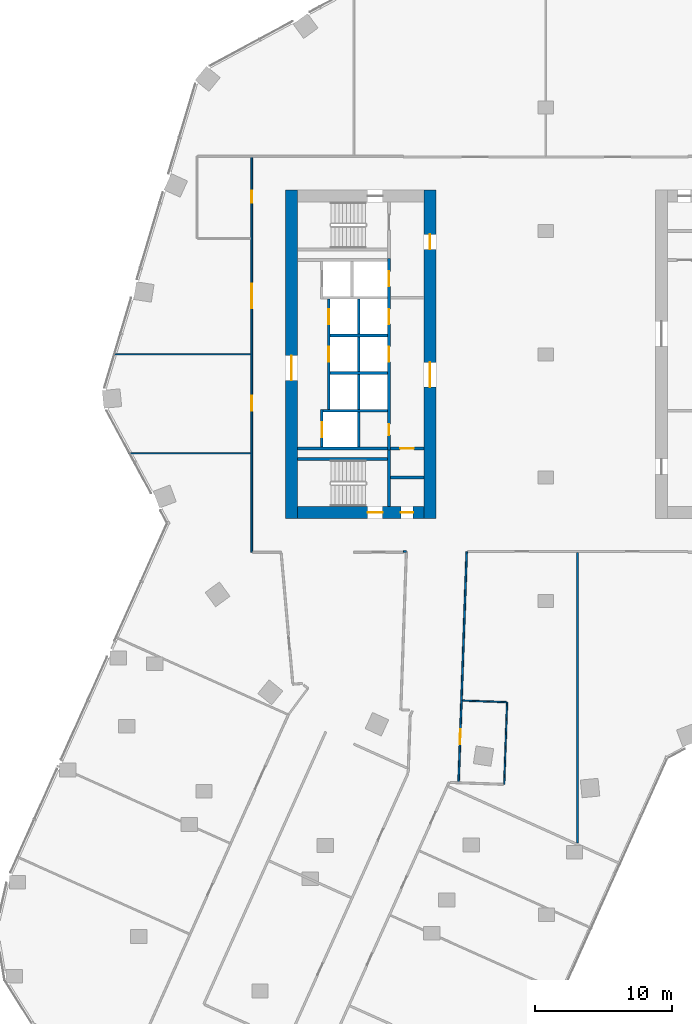
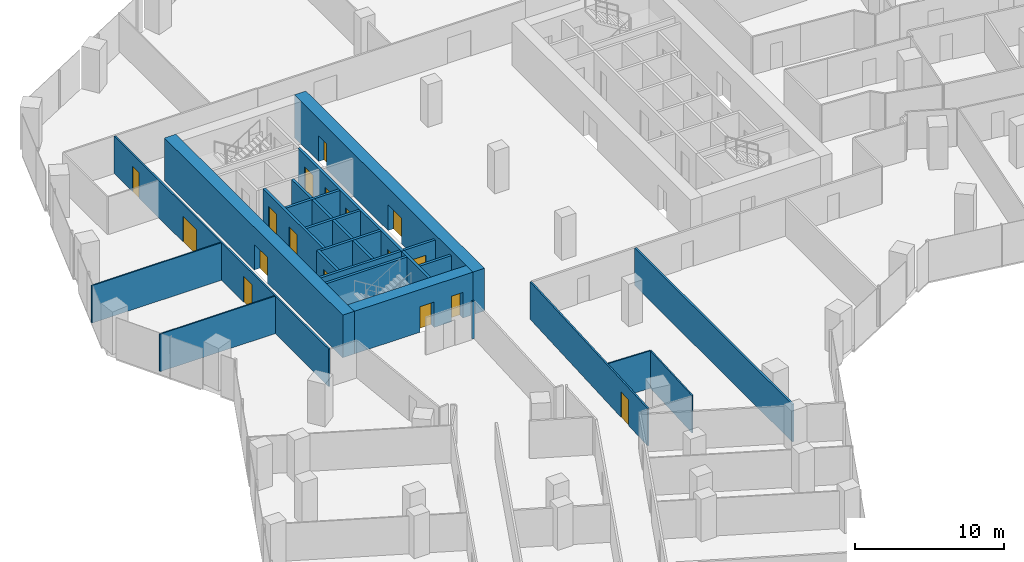
# One storey, part 26 of 34: 26 walls, 17 doors, 17 openings.
"""IFC4 building model written with IfcOpenShell, lengths in metres."""

import ifcopenshell
import ifcopenshell.guid

model = None  # the IFC model being written
_history = None  # IfcOwnerHistory: only IFC2X3 demands one
_inside = {}  # id of a spatial element -> (the spatial element, [elements in it])
_under = {}  # id of a project, library or spatial element -> (it, [spatial elements below it])
_declared = {}  # id of a project -> (the project, [libraries it declares])
_typed = {}  # id of a type object -> (the type object, [elements of that type])
_made_of = {}  # id of a material, layer set ... -> (it, [elements and type objects made of it])


def new_model(schema):
    """Start an empty IFC model of exactly this schema.

    Asked for "IFC4X3", IfcOpenShell would pick the latest addendum, in which some entities
    have other attributes; the version numbers below select the first issue.
    IFC2X3 requires an IfcOwnerHistory on every rooted entity: one is made here for all.
    """
    global model, _history
    if schema == "IFC4X3":
        model = ifcopenshell.file(schema_version=(4, 3, 0, 0))
    else:
        model = ifcopenshell.file(schema=schema)
    _inside.clear()
    _under.clear()
    _declared.clear()
    _typed.clear()
    _made_of.clear()
    _history = None
    if model.schema == "IFC2X3":
        org = make("IfcOrganization", Name="unknown")
        user = make(
            "IfcPersonAndOrganization",
            ThePerson=make("IfcPerson", FamilyName="unknown"),
            TheOrganization=org,
        )
        app = make(
            "IfcApplication",
            ApplicationDeveloper=org,
            Version="unknown",
            ApplicationFullName="unknown",
            ApplicationIdentifier="unknown",
        )
        _history = make(
            "IfcOwnerHistory",
            OwningUser=user,
            OwningApplication=app,
            ChangeAction="ADDED",
            CreationDate=0,
        )
    return model


def make(cls, **values):
    """One entity of the class cls with the attributes given. An attribute that is None is left unset."""
    return model.create_entity(
        cls, **{name: value for name, value in values.items() if value is not None}
    )


def rooted(cls, **values):
    """An entity with a GlobalId (a new one), such as an element, a storey or a relation."""
    return make(cls, GlobalId=ifcopenshell.guid.new(), OwnerHistory=_history, **values)


def si_unit(unit_type, name, prefix=None):
    """IfcSIUnit, for example si_unit("LENGTHUNIT", "METRE", prefix="MILLI")."""
    return make("IfcSIUnit", UnitType=unit_type, Prefix=prefix, Name=name)


def assignment(units):
    """IfcUnitAssignment: the units of a project."""
    return None if units is None else make("IfcUnitAssignment", Units=units)


def point(xyz):
    """IfcCartesianPoint."""
    return None if xyz is None else make("IfcCartesianPoint", Coordinates=xyz)


def direction(xyz):
    """IfcDirection."""
    return None if xyz is None else make("IfcDirection", DirectionRatios=xyz)


def frame(location, z_axis=None, x_axis=None):
    """IfcAxis2Placement3D, a coordinate frame: its origin and axes. An axis left out is left unset."""
    return make(
        "IfcAxis2Placement3D",
        Location=point(location),
        Axis=direction(z_axis),
        RefDirection=direction(x_axis),
    )


def frame_2d(location, x_axis=None):
    """IfcAxis2Placement2D, a coordinate frame in the plane: its origin and x axis."""
    return make(
        "IfcAxis2Placement2D", Location=point(location), RefDirection=direction(x_axis)
    )


def origin():
    """The frame at (0, 0, 0) with its axes left unset."""
    return frame((0.0, 0.0, 0.0))


def place(relative_to, where):
    """IfcLocalPlacement: puts the frame where relative to a parent placement (None: the world)."""
    return make(
        "IfcLocalPlacement", PlacementRelTo=relative_to, RelativePlacement=where
    )


def context(
    kind, dimensions, precision=None, world=None, true_north=None, identifier=None
):
    """IfcGeometricRepresentationContext, for example the 3D "Model" context."""
    return make(
        "IfcGeometricRepresentationContext",
        ContextIdentifier=identifier,
        ContextType=kind,
        CoordinateSpaceDimension=dimensions,
        Precision=precision,
        WorldCoordinateSystem=world,
        TrueNorth=true_north,
    )


def subcontext(parent, identifier, kind, view, scale=None):
    """IfcGeometricRepresentationSubContext, for example "Body" below "Model"."""
    return make(
        "IfcGeometricRepresentationSubContext",
        ContextIdentifier=identifier,
        ContextType=kind,
        ParentContext=parent,
        TargetScale=scale,
        TargetView=view,
    )


def project(units=None, contexts=None):
    """IfcProject with its units and contexts."""
    return rooted(
        "IfcProject",
        Name="project",
        RepresentationContexts=contexts,
        UnitsInContext=assignment(units),
    )


def spatial(cls, under=None, at=None, **own):
    """A site, building, storey or space (cls), placed at a placement, below another one or the project."""
    s = rooted(cls, ObjectPlacement=at, **own)
    if under is not None:
        _under.setdefault(under.id(), (under, []))[1].append(s)
    return s


def profile(cls, at=None, kind="AREA", **sizes):
    """A parametric profile (cls). Its sizes go by their IFC names, for example OverallWidth=200.0."""
    return make(cls, ProfileType=kind, Position=at, **sizes)


def rectangle(**sizes):
    """IfcRectangleProfileDef."""
    return profile("IfcRectangleProfileDef", **sizes)


def extrude(swept, where, along, depth):
    """IfcExtrudedAreaSolid: the profile swept, set in the frame where, extruded along a direction by depth."""
    return make(
        "IfcExtrudedAreaSolid",
        SweptArea=swept,
        Position=where,
        ExtrudedDirection=direction(along),
        Depth=depth,
    )


def shape(context_of_items, identifier, shape_type, items):
    """IfcShapeRepresentation: the items that make up one representation, for example the "Body"."""
    return make(
        "IfcShapeRepresentation",
        ContextOfItems=context_of_items,
        RepresentationIdentifier=identifier,
        RepresentationType=shape_type,
        Items=items,
    )


def material(Name=None, Category=None):
    """IfcMaterial."""
    return make("IfcMaterial", Name=Name, Category=Category)


def layer(
    of_material, thickness, ventilated=None, Name=None, Category=None, Priority=None
):
    """IfcMaterialLayer: one layer of a wall or slab, of a material (None: an air gap)."""
    return make(
        "IfcMaterialLayer",
        Material=of_material,
        LayerThickness=thickness,
        IsVentilated=ventilated,
        Name=Name,
        Category=Category,
        Priority=Priority,
    )


def layer_set(layers, Name=None):
    """IfcMaterialLayerSet."""
    return make("IfcMaterialLayerSet", MaterialLayers=layers, LayerSetName=Name)


def made_of(thing, what):
    """Note that an element or type object is made of a material, layer set ...; save() writes the relation."""
    if what is not None:
        _made_of.setdefault(what.id(), (what, []))[1].append(thing)
    return thing


def type_object(cls, material=None, **own):
    """A type object (cls), such as IfcWallType, which elements share."""
    return made_of(rooted(cls, **own), material)


def element(
    cls,
    number,
    at=None,
    inside=None,
    cuts=None,
    type_object=None,
    material=None,
    context=None,
    identifier="Body",
    shape_type=None,
    held_by="IfcProductDefinitionShape",
    body=None,
    shapes=None,
    **own,
):
    """One element of the class cls, such as IfcWall. Its Tag is "e" and its number.

    at: its placement. inside: the storey or other place that contains it. cuts: it is an
    opening in that element (IfcRelVoidsElement). A single representation is given by context,
    identifier, shape_type and body (its items); several are given by shapes. held_by: the class
    of the entity that holds the representations. save() writes the other relations.
    """
    e = rooted(cls, Tag="e%d" % number, ObjectPlacement=at, **own)
    if body is not None:
        shapes = [shape(context, identifier, shape_type, body)]
    if shapes is not None:
        e.Representation = make(held_by, Representations=shapes)
    if inside is not None:
        _inside.setdefault(inside.id(), (inside, []))[1].append(e)
    if cuts is not None:
        rooted(
            "IfcRelVoidsElement", RelatingBuildingElement=cuts, RelatedOpeningElement=e
        )
    if type_object is not None:
        _typed.setdefault(type_object.id(), (type_object, []))[1].append(e)
    return made_of(e, material)


def fill(opening, filler):
    """IfcRelFillsElement: the door or window that sits in an opening."""
    return rooted(
        "IfcRelFillsElement",
        RelatingOpeningElement=opening,
        RelatedBuildingElement=filler,
    )


def aggregate(whole, parts):
    """IfcRelAggregates: a whole, such as a stair, and the parts it consists of."""
    return rooted("IfcRelAggregates", RelatingObject=whole, RelatedObjects=parts)


def save(model, path):
    """Write the relations noted so far, then the file.

    IfcRelAggregates (storeys below a building ...), IfcRelContainedInSpatialStructure (elements
    in a storey), IfcRelDefinesByType, IfcRelAssociatesMaterial and IfcRelDeclares: one each for
    every whole, place, type object, material and project.
    """
    for whole, parts in _under.values():
        aggregate(whole, parts)
    for where, things in _inside.values():
        rooted(
            "IfcRelContainedInSpatialStructure",
            RelatedElements=things,
            RelatingStructure=where,
        )
    for kind, things in _typed.values():
        rooted("IfcRelDefinesByType", RelatedObjects=things, RelatingType=kind)
    for what, things in _made_of.values():
        rooted("IfcRelAssociatesMaterial", RelatedObjects=things, RelatingMaterial=what)
    for by, libraries in _declared.values():
        rooted("IfcRelDeclares", RelatingContext=by, RelatedDefinitions=libraries)
    model.write(path)


model = new_model("IFC4")

# Units and contexts
model_context = context("Model", 3, precision=1e-05, world=origin(), true_north=direction((0.0, 1.0)))
body_context = subcontext(model_context, "Body", "Model", "MODEL_VIEW")
ifc_project = project(units=[si_unit("LENGTHUNIT", "METRE"), si_unit("AREAUNIT", "SQUARE_METRE"), si_unit("VOLUMEUNIT", "CUBIC_METRE"), si_unit("PLANEANGLEUNIT", "RADIAN"), si_unit("MASSUNIT", "GRAM", prefix="KILO")], contexts=[model_context])

# Site, building, storey
site_placement = place(None, origin())
site = spatial("IfcSite", under=ifc_project, at=site_placement, CompositionType="ELEMENT")
building_placement = place(site_placement, origin())
building = spatial("IfcBuilding", under=site, at=building_placement, Name="Orlundy Tower", CompositionType="ELEMENT")
storey_placement = place(building_placement, frame((0.0, 0.0, 130.699951171875)))
storey = spatial("IfcBuildingStorey", under=building, at=storey_placement, Name="L33", CompositionType="ELEMENT", Elevation=130.699951171875)

# Wall, openings, doors
ifc_material_1 = material(Name="Concrete C80/95", Category="concrete")
ifc_layer_1 = layer(ifc_material_1, 0.89990234375)
ifc_layer_set_1 = layer_set([ifc_layer_1], Name="CORE WALL 900 C80/95")
wall_type_1 = type_object("IfcWallType", Name="CORE WALL 900 C80/95", PredefinedType="SHEAR", material=ifc_layer_set_1)
wall_1_placement = place(storey_placement, frame((-18.10009765625, -11.550048828125, 0.0), z_axis=(0.0, 0.0, 1.0), x_axis=(1.0, 0.0, 0.0)))
wall_1 = element("IfcWall", 1, at=wall_1_placement, inside=storey, type_object=wall_type_1, Name="Core wall W-S L33", PredefinedType="SHEAR", context=body_context, shape_type="SweptSolid", body=[
    extrude(rectangle(XDim=9.2001953125, YDim=0.89990234375, at=frame_2d((4.60009765625, 0.0))), origin(), (0.0, 0.0, 1.0), 3.5),
])
opening_1_placement = place(wall_1_placement, frame((5.10009765625, 0.0, 0.0)))
opening_1 = element("IfcOpeningElement", 2, at=opening_1_placement, cuts=wall_1, Name="Opening 25013", PredefinedType="OPENING", context=body_context, shape_type="SweptSolid", body=[
    extrude(rectangle(XDim=1.10009765625, YDim=2.10009765625, at=frame_2d((0.550048828125, 1.050048828125))), frame((0.0, 0.4599609375, 0.0), z_axis=(0.0, -1.0, 0.0), x_axis=(1.0, 0.0, 0.0)), (0.0, 0.0, 1.0), 0.919921875),
])
opening_2_placement = place(wall_1_placement, frame((7.530029296875, 0.0, 0.0)))
opening_2 = element("IfcOpeningElement", 3, at=opening_2_placement, cuts=wall_1, Name="Opening 25015", PredefinedType="OPENING", context=body_context, shape_type="SweptSolid", body=[
    extrude(rectangle(XDim=0.89990234375, YDim=2.10009765625, at=frame_2d((0.449951171875, 1.050048828125))), frame((0.0, 0.4599609375, 0.0), z_axis=(0.0, -1.0, 0.0), x_axis=(1.0, 0.0, 0.0)), (0.0, 0.0, 1.0), 0.919921875),
])
ifc_material_2 = material(Name="Timber door set", Category="wood")
door_type_1 = type_object("IfcDoorType", Name="Room Door 900x2100", OperationType="SINGLE_SWING_LEFT", PredefinedType="DOOR", material=ifc_material_2)
door_1_placement = place(opening_2_placement, origin())
door_1 = element("IfcDoor", 4, at=door_1_placement, inside=storey, type_object=door_type_1, Name="Store door 25015", OperationType="SINGLE_SWING_RIGHT", OverallHeight=2.10009765625, OverallWidth=0.89990234375, PredefinedType="DOOR", context=body_context, shape_type="SweptSolid", body=[
    extrude(rectangle(XDim=0.89990234375, YDim=2.10009765625, at=frame_2d((0.449951171875, 1.050048828125))), frame((0.0, 0.02490234375, 0.0), z_axis=(0.0, -1.0, 0.0), x_axis=(1.0, 0.0, 0.0)), (0.0, 0.0, 1.0), 0.050048828125),
])
fill(opening_2, door_1)
ifc_material_3 = material(Name="Steel door set", Category="steel")
door_type_2 = type_object("IfcDoorType", Name="Stair Door 1100x2100", OperationType="SINGLE_SWING_LEFT", PredefinedType="DOOR", material=ifc_material_3)
door_2_placement = place(opening_1_placement, origin())
door_2 = element("IfcDoor", 5, at=door_2_placement, inside=storey, type_object=door_type_2, Name="Stair door 25013", OperationType="SINGLE_SWING_RIGHT", OverallHeight=2.10009765625, OverallWidth=1.10009765625, PredefinedType="DOOR", context=body_context, shape_type="SweptSolid", body=[
    extrude(rectangle(XDim=1.10009765625, YDim=2.10009765625, at=frame_2d((0.550048828125, 1.050048828125))), frame((0.0, 0.02490234375, 0.0), z_axis=(0.0, -1.0, 0.0), x_axis=(1.0, 0.0, 0.0)), (0.0, 0.0, 1.0), 0.050048828125),
])
fill(opening_1, door_2)

# Wall, opening, door
wall_2_placement = place(storey_placement, frame((-18.550048828125, -12.0, 0.0), z_axis=(0.0, 0.0, 1.0), x_axis=(0.0, 1.0, 0.0)))
wall_2 = element("IfcWall", 6, at=wall_2_placement, inside=storey, type_object=wall_type_1, Name="Core wall W-W L33", PredefinedType="SHEAR", context=body_context, shape_type="SweptSolid", body=[
    extrude(rectangle(XDim=24.0, YDim=0.89990234375, at=frame_2d((12.0, 0.0))), origin(), (0.0, 0.0, 1.0), 3.5),
])
opening_3_placement = place(wall_2_placement, frame((10.10009765625, 0.0, 0.0)))
opening_3 = element("IfcOpeningElement", 7, at=opening_3_placement, cuts=wall_2, Name="Opening 25010", PredefinedType="OPENING", context=body_context, shape_type="SweptSolid", body=[
    extrude(rectangle(XDim=1.800048828125, YDim=2.10009765625, at=frame_2d((0.89990234375, 1.050048828125))), frame((0.0, 0.4599609375, 0.0), z_axis=(0.0, -1.0, 0.0), x_axis=(1.0, 0.0, 0.0)), (0.0, 0.0, 1.0), 0.919921875),
])
ifc_material_4 = material(Name="Timber door set", Category="wood")
door_type_3 = type_object("IfcDoorType", Name="Lobby Door 1800x2100", OperationType="DOUBLE_DOOR_DOUBLE_SWING", PredefinedType="DOOR", material=ifc_material_4)
door_3_placement = place(opening_3_placement, origin())
door_3 = element("IfcDoor", 8, at=door_3_placement, inside=storey, type_object=door_type_3, Name="Lift lobby door 25010", OperationType="SINGLE_SWING_LEFT", OverallHeight=2.10009765625, OverallWidth=1.800048828125, PredefinedType="DOOR", context=body_context, shape_type="SweptSolid", body=[
    extrude(rectangle(XDim=1.800048828125, YDim=2.10009765625, at=frame_2d((0.89990234375, 1.050048828125))), frame((0.0, 0.02490234375, 0.0), z_axis=(0.0, -1.0, 0.0), x_axis=(1.0, 0.0, 0.0)), (0.0, 0.0, 1.0), 0.050048828125),
])
fill(opening_3, door_3)

# Wall, openings, doors
wall_3_placement = place(storey_placement, frame((-8.449951171875, -12.0, 0.0), z_axis=(0.0, 0.0, 1.0), x_axis=(0.0, 1.0, 0.0)))
wall_3 = element("IfcWall", 9, at=wall_3_placement, inside=storey, type_object=wall_type_1, Name="Core wall W-E L33", PredefinedType="SHEAR", context=body_context, shape_type="SweptSolid", body=[
    extrude(rectangle(XDim=24.0, YDim=0.89990234375, at=frame_2d((12.0, 0.0))), origin(), (0.0, 0.0, 1.0), 3.5),
])
opening_4_placement = place(wall_3_placement, frame((9.60009765625, 0.0, 0.0)))
opening_4 = element("IfcOpeningElement", 10, at=opening_4_placement, cuts=wall_3, Name="Opening 25009", PredefinedType="OPENING", context=body_context, shape_type="SweptSolid", body=[
    extrude(rectangle(XDim=1.800048828125, YDim=2.10009765625, at=frame_2d((0.89990234375, 1.050048828125))), frame((0.0, 0.4599609375, 0.0), z_axis=(0.0, -1.0, 0.0), x_axis=(1.0, 0.0, 0.0)), (0.0, 0.0, 1.0), 0.919921875),
])
opening_5_placement = place(wall_3_placement, frame((19.64990234375, 0.0, 0.0)))
opening_5 = element("IfcOpeningElement", 11, at=opening_5_placement, cuts=wall_3, Name="Opening 25011", PredefinedType="OPENING", context=body_context, shape_type="SweptSolid", body=[
    extrude(rectangle(XDim=1.10009765625, YDim=2.10009765625, at=frame_2d((0.550048828125, 1.050048828125))), frame((0.0, 0.4599609375, 0.0), z_axis=(0.0, -1.0, 0.0), x_axis=(1.0, 0.0, 0.0)), (0.0, 0.0, 1.0), 0.919921875),
])
ifc_material_5 = material(Name="Steel door set", Category="steel")
door_type_4 = type_object("IfcDoorType", Name="Fire-fighting Lobby Door 1100x2100", OperationType="SINGLE_SWING_LEFT", PredefinedType="DOOR", material=ifc_material_5)
door_4_placement = place(opening_5_placement, origin())
door_4 = element("IfcDoor", 12, at=door_4_placement, inside=storey, type_object=door_type_4, Name="Fire-fighting lobby door 25011", OperationType="SINGLE_SWING_RIGHT", OverallHeight=2.10009765625, OverallWidth=1.10009765625, PredefinedType="DOOR", context=body_context, shape_type="SweptSolid", body=[
    extrude(rectangle(XDim=1.10009765625, YDim=2.10009765625, at=frame_2d((0.550048828125, 1.050048828125))), frame((0.0, 0.02490234375, 0.0), z_axis=(0.0, -1.0, 0.0), x_axis=(1.0, 0.0, 0.0)), (0.0, 0.0, 1.0), 0.050048828125),
])
fill(opening_5, door_4)
door_5_placement = place(opening_4_placement, origin())
door_5 = element("IfcDoor", 13, at=door_5_placement, inside=storey, type_object=door_type_3, Name="Lift lobby door 25009", OperationType="SINGLE_SWING_LEFT", OverallHeight=2.10009765625, OverallWidth=1.800048828125, PredefinedType="DOOR", context=body_context, shape_type="SweptSolid", body=[
    extrude(rectangle(XDim=1.800048828125, YDim=2.10009765625, at=frame_2d((0.89990234375, 1.050048828125))), frame((0.0, 0.02490234375, 0.0), z_axis=(0.0, -1.0, 0.0), x_axis=(1.0, 0.0, 0.0)), (0.0, 0.0, 1.0), 0.050048828125),
])
fill(opening_4, door_5)

# Walls
ifc_material_6 = material(Name="Gypsum board partition")
ifc_layer_2 = layer(ifc_material_6, 0.10009765625)
ifc_layer_set_2 = layer_set([ifc_layer_2], Name="Floor partition 100")
wall_type_2 = type_object("IfcWallType", Name="Floor partition 100", PredefinedType="PARTITIONING", material=ifc_layer_set_2)
wall_4_placement = place(storey_placement, frame((-6.087890625, -25.27587890625, 0.0), z_axis=(0.0, 0.0, 1.0), x_axis=(0.999383173756, -0.035117972788, 0.0)))
element("IfcWall", 14, at=wall_4_placement, inside=storey, type_object=wall_type_2, Name="wall-int-L33-032", PredefinedType="PARTITIONING", context=body_context, shape_type="SweptSolid", body=[
    extrude(rectangle(XDim=3.21875, YDim=0.10009765625, at=frame_2d((1.609375, 0.0))), origin(), (0.0, 0.0, 1.0), 3.080078125),
])
wall_5_placement = place(storey_placement, frame((-30.471923828125, -7.22412109375, 0.0), z_axis=(0.0, 0.0, 1.0), x_axis=(1.0, 0.0, 0.0)))
element("IfcWall", 15, at=wall_5_placement, inside=storey, type_object=wall_type_2, Name="wall-int-L33-038", PredefinedType="PARTITIONING", context=body_context, shape_type="SweptSolid", body=[
    extrude(rectangle(XDim=8.9599609375, YDim=0.10009765625, at=frame_2d((4.47998046875, 0.0))), origin(), (0.0, 0.0, 1.0), 3.080078125),
])
wall_6_placement = place(storey_placement, frame((-31.576904296875, 0.0, 0.0), z_axis=(0.0, 0.0, 1.0), x_axis=(1.0, 0.0, 0.0)))
element("IfcWall", 16, at=wall_6_placement, inside=storey, type_object=wall_type_2, Name="wall-int-L33-039", PredefinedType="PARTITIONING", context=body_context, shape_type="SweptSolid", body=[
    extrude(rectangle(XDim=10.06494140625, YDim=0.10009765625, at=frame_2d((5.032470703125, 0.0))), origin(), (0.0, 0.0, 1.0), 3.080078125),
])
wall_7_placement = place(storey_placement, frame((-3.031005859375, -31.387939453125, 0.0), z_axis=(0.0, 0.0, 1.0), x_axis=(0.035158834676, 0.999381737048, 0.0)))
element("IfcWall", 17, at=wall_7_placement, inside=storey, type_object=wall_type_2, Name="wall-int-L33-072", PredefinedType="PARTITIONING", context=body_context, shape_type="SweptSolid", body=[
    extrude(rectangle(XDim=5.99951171875, YDim=0.10009765625, at=frame_2d((2.999755859375, 0.0))), origin(), (0.0, 0.0, 1.0), 3.080078125),
])
ifc_material_7 = material(Name="Gypsum board partition, double layer")
ifc_layer_3 = layer(ifc_material_7, 0.125)
ifc_layer_set_3 = layer_set([ifc_layer_3], Name="Floor partition 125")
wall_type_3 = type_object("IfcWallType", Name="Floor partition 125", PredefinedType="PARTITIONING", material=ifc_layer_set_3)
wall_8_placement = place(storey_placement, frame((-10.389892578125, -14.40087890625, 0.0), z_axis=(0.0, 0.0, 1.0), x_axis=(1.0, 0.0, 0.0)))
element("IfcWall", 18, at=wall_8_placement, inside=storey, type_object=wall_type_3, Name="wall-int-L33-036", PredefinedType="PARTITIONING", context=body_context, shape_type="SweptSolid", body=[
    extrude(rectangle(XDim=0.218994140625, YDim=0.125, at=frame_2d((0.109375, 0.0))), origin(), (0.0, 0.0, 1.0), 3.080078125),
])

# Wall, opening, door
wall_9_placement = place(storey_placement, frame((-5.76806640625, -14.40087890625, 0.0), z_axis=(0.0, 0.0, 1.0), x_axis=(-0.035129220635, -0.999382778448, 0.0)))
wall_9 = element("IfcWall", 19, at=wall_9_placement, inside=storey, type_object=wall_type_3, Name="wall-int-L33-073", PredefinedType="PARTITIONING", context=body_context, shape_type="SweptSolid", body=[
    extrude(rectangle(XDim=16.818603515625, YDim=0.125, at=frame_2d((8.4091796875, 0.0))), origin(), (0.0, 0.0, 1.0), 3.080078125),
])
opening_6_placement = place(wall_9_placement, frame((12.980712890625, 0.0, 0.0)))
opening_6 = element("IfcOpeningElement", 20, at=opening_6_placement, cuts=wall_9, Name="Opening 25133", PredefinedType="OPENING", context=body_context, shape_type="SweptSolid", body=[
    extrude(rectangle(XDim=1.10009765625, YDim=2.10009765625, at=frame_2d((0.550048828125, 1.050048828125))), frame((0.0, 0.072509765625, 0.0), z_axis=(0.0, -1.0, 0.0), x_axis=(1.0, 0.0, 0.0)), (0.0, 0.0, 1.0), 0.14501953125),
])
ifc_material_8 = material(Name="Timber door leaf", Category="wood")
door_type_5 = type_object("IfcDoorType", Name="Floor door xwide 1100 FD30S", OperationType="NOTDEFINED", PredefinedType="DOOR", material=ifc_material_8)
door_6_placement = place(opening_6_placement, origin())
door_6 = element("IfcDoor", 21, at=door_6_placement, inside=storey, type_object=door_type_5, Name="Door 25133", OperationType="SINGLE_SWING_RIGHT", OverallHeight=2.10009765625, OverallWidth=1.10009765625, PredefinedType="DOOR", context=body_context, shape_type="SweptSolid", body=[
    extrude(rectangle(XDim=1.10009765625, YDim=2.10009765625, at=frame_2d((0.550048828125, 1.050048828125))), frame((0.0, 0.02490234375, 0.0), z_axis=(0.0, -1.0, 0.0), x_axis=(1.0, 0.0, 0.0)), (0.0, 0.0, 1.0), 0.050048828125),
])
fill(opening_6, door_6)

# Wall, openings, doors
wall_10_placement = place(storey_placement, frame((-21.449951171875, -14.450927734375, 0.0), z_axis=(0.0, 0.0, 1.0), x_axis=(0.0, 1.0, 0.0)))
wall_10 = element("IfcWall", 22, at=wall_10_placement, inside=storey, type_object=wall_type_3, Name="wall-int-L33-085", PredefinedType="PARTITIONING", context=body_context, shape_type="SweptSolid", body=[
    extrude(rectangle(XDim=28.8369140625, YDim=0.125, at=frame_2d((14.41845703125, 0.0))), origin(), (0.0, 0.0, 1.0), 3.080078125),
])
opening_7_placement = place(wall_10_placement, frame((10.326904296875, 0.0, 0.0)))
opening_7 = element("IfcOpeningElement", 23, at=opening_7_placement, cuts=wall_10, Name="Opening 25120", PredefinedType="OPENING", context=body_context, shape_type="SweptSolid", body=[
    extrude(rectangle(XDim=1.10009765625, YDim=2.10009765625, at=frame_2d((0.550048828125, 1.050048828125))), frame((0.0, 0.072509765625, 0.0), z_axis=(0.0, -1.0, 0.0), x_axis=(1.0, 0.0, 0.0)), (0.0, 0.0, 1.0), 0.14501953125),
])
opening_8_placement = place(wall_10_placement, frame((17.801025390625, 0.0, 0.0)))
opening_8 = element("IfcOpeningElement", 24, at=opening_8_placement, cuts=wall_10, Name="Opening 25131", PredefinedType="OPENING", context=body_context, shape_type="SweptSolid", body=[
    extrude(rectangle(XDim=1.800048828125, YDim=2.10009765625, at=frame_2d((0.89990234375, 1.050048828125))), frame((0.0, 0.072509765625, 0.0), z_axis=(0.0, -1.0, 0.0), x_axis=(1.0, 0.0, 0.0)), (0.0, 0.0, 1.0), 0.14501953125),
])
opening_9_placement = place(wall_10_placement, frame((25.5, 0.0, 0.0)))
opening_9 = element("IfcOpeningElement", 25, at=opening_9_placement, cuts=wall_10, Name="Opening 25132", PredefinedType="OPENING", context=body_context, shape_type="SweptSolid", body=[
    extrude(rectangle(XDim=0.89990234375, YDim=2.10009765625, at=frame_2d((0.449951171875, 1.050048828125))), frame((0.0, 0.072509765625, 0.0), z_axis=(0.0, -1.0, 0.0), x_axis=(1.0, 0.0, 0.0)), (0.0, 0.0, 1.0), 0.14501953125),
])
ifc_material_9 = material(Name="Timber door leaf", Category="wood")
door_type_6 = type_object("IfcDoorType", Name="Floor door double 1800 FD30S", OperationType="NOTDEFINED", PredefinedType="DOOR", material=ifc_material_9)
door_7_placement = place(opening_8_placement, origin())
door_7 = element("IfcDoor", 26, at=door_7_placement, inside=storey, type_object=door_type_6, Name="Door 25131", OperationType="DOUBLE_DOOR_SINGLE_SWING", OverallHeight=2.10009765625, OverallWidth=1.800048828125, PredefinedType="DOOR", context=body_context, shape_type="SweptSolid", body=[
    extrude(rectangle(XDim=1.800048828125, YDim=2.10009765625, at=frame_2d((0.89990234375, 1.050048828125))), frame((0.0, 0.02490234375, 0.0), z_axis=(0.0, -1.0, 0.0), x_axis=(1.0, 0.0, 0.0)), (0.0, 0.0, 1.0), 0.050048828125),
])
fill(opening_8, door_7)
ifc_material_10 = material(Name="Timber door leaf", Category="wood")
door_type_7 = type_object("IfcDoorType", Name="Floor door single 900 FD30S", OperationType="NOTDEFINED", PredefinedType="DOOR", material=ifc_material_10)
door_8_placement = place(opening_9_placement, origin())
door_8 = element("IfcDoor", 27, at=door_8_placement, inside=storey, type_object=door_type_7, Name="Door 25132", OperationType="SINGLE_SWING_RIGHT", OverallHeight=2.10009765625, OverallWidth=0.89990234375, PredefinedType="DOOR", context=body_context, shape_type="SweptSolid", body=[
    extrude(rectangle(XDim=0.89990234375, YDim=2.10009765625, at=frame_2d((0.449951171875, 1.050048828125))), frame((0.0, 0.02490234375, 0.0), z_axis=(0.0, -1.0, 0.0), x_axis=(1.0, 0.0, 0.0)), (0.0, 0.0, 1.0), 0.050048828125),
])
fill(opening_9, door_8)
door_9_placement = place(opening_7_placement, origin())
door_9 = element("IfcDoor", 28, at=door_9_placement, inside=storey, type_object=door_type_5, Name="Door 25120", OperationType="SINGLE_SWING_LEFT", OverallHeight=2.10009765625, OverallWidth=1.10009765625, PredefinedType="DOOR", context=body_context, shape_type="SweptSolid", body=[
    extrude(rectangle(XDim=1.10009765625, YDim=2.10009765625, at=frame_2d((0.550048828125, 1.050048828125))), frame((0.0, 0.02490234375, 0.0), z_axis=(0.0, -1.0, 0.0), x_axis=(1.0, 0.0, 0.0)), (0.0, 0.0, 1.0), 0.050048828125),
])
fill(opening_7, door_9)

# Walls
ifc_material_11 = material(Name="Blockwork shaft wall", Category="masonry")
ifc_layer_4 = layer(ifc_material_11, 0.14990234375)
ifc_layer_set_4 = layer_set([ifc_layer_4], Name="Floor shaft wall 150")
wall_type_4 = type_object("IfcWallType", Name="Floor shaft wall 150", PredefinedType="PARTITIONING", material=ifc_layer_set_4)
wall_11_placement = place(storey_placement, frame((2.31103515625, -35.658935546875, 0.0), z_axis=(0.0, 0.0, 1.0), x_axis=(0.0, 1.0, 0.0)))
element("IfcWall", 29, at=wall_11_placement, inside=storey, type_object=wall_type_4, Name="wall-int-L33-082", PredefinedType="PARTITIONING", context=body_context, shape_type="SweptSolid", body=[
    extrude(rectangle(XDim=21.182861328125, YDim=0.14990234375, at=frame_2d((10.59130859375, 0.0))), origin(), (0.0, 0.0, 1.0), 3.080078125),
])
ifc_material_12 = material(Name="Concrete C40/50", Category="concrete")
ifc_layer_5 = layer(ifc_material_12, 0.199951171875)
ifc_layer_set_5 = layer_set([ifc_layer_5], Name="Load-bearing Shaft Wall 200")
wall_type_5 = type_object("IfcWallType", Name="Load-bearing Shaft Wall 200", PredefinedType="SOLIDWALL", material=ifc_layer_set_5)
wall_12_placement = place(storey_placement, frame((-11.43994140625, -11.10009765625, 0.0), z_axis=(0.0, 0.0, 1.0), x_axis=(0.0, 1.0, 0.0)))
element("IfcWall", 30, at=wall_12_placement, inside=storey, type_object=wall_type_5, Name="Shaft wall W25-stair-end-s", PredefinedType="SOLIDWALL", context=body_context, shape_type="SweptSolid", body=[
    extrude(rectangle(XDim=4.125, YDim=0.199951171875, at=frame_2d((2.0625, 0.0))), origin(), (0.0, 0.0, 1.0), 3.090087890625),
])
wall_13_placement = place(storey_placement, frame((-11.5400390625, -7.64990234375, 0.0), z_axis=(0.0, 0.0, 1.0), x_axis=(-1.0, 0.0, 0.0)))
element("IfcWall", 31, at=wall_13_placement, inside=storey, type_object=wall_type_5, Name="Shaft wall W25-stair-side-s", PredefinedType="SOLIDWALL", context=body_context, shape_type="SweptSolid", body=[
    extrude(rectangle(XDim=6.56005859375, YDim=0.199951171875, at=frame_2d((3.280029296875, 0.0))), origin(), (0.0, 0.0, 1.0), 3.090087890625),
])

# Wall, opening, door
ifc_material_13 = material(Name="Gypsum board partition on steel studs", Category="steel")
ifc_layer_6 = layer(ifc_material_13, 0.199951171875)
ifc_layer_set_6 = layer_set([ifc_layer_6], Name="Partition 200")
wall_type_6 = type_object("IfcWallType", Name="Partition 200", PredefinedType="PARTITIONING", material=ifc_layer_set_6)
wall_14_placement = place(storey_placement, frame((-8.89990234375, -6.875, 0.0), z_axis=(0.0, 0.0, 1.0), x_axis=(-1.0, 0.0, 0.0)))
wall_14 = element("IfcWall", 32, at=wall_14_placement, inside=storey, type_object=wall_type_6, Name="Partition wall W25-end-s", PredefinedType="PARTITIONING", context=body_context, shape_type="SweptSolid", body=[
    extrude(rectangle(XDim=2.440185546875, YDim=0.199951171875, at=frame_2d((1.22021484375, 0.0))), origin(), (0.0, 0.0, 1.0), 3.090087890625),
])
opening_10_placement = place(wall_14_placement, frame((0.719970703125, 0.0, 0.0)))
opening_10 = element("IfcOpeningElement", 33, at=opening_10_placement, cuts=wall_14, Name="Opening 25016", PredefinedType="OPENING", context=body_context, shape_type="SweptSolid", body=[
    extrude(rectangle(XDim=1.0, YDim=2.10009765625, at=frame_2d((0.5, 1.050048828125))), frame((0.0, 0.110107421875, 0.0), z_axis=(0.0, -1.0, 0.0), x_axis=(1.0, 0.0, 0.0)), (0.0, 0.0, 1.0), 0.22021484375),
])
ifc_material_14 = material(Name="Timber door set", Category="wood")
door_type_8 = type_object("IfcDoorType", Name="Accessible Door 1000x2100", OperationType="SINGLE_SWING_LEFT", PredefinedType="DOOR", material=ifc_material_14)
door_10_placement = place(opening_10_placement, origin())
door_10 = element("IfcDoor", 34, at=door_10_placement, inside=storey, type_object=door_type_8, Name="Accessible WC door 25016", OperationType="SINGLE_SWING_RIGHT", OverallHeight=2.10009765625, OverallWidth=1.0, PredefinedType="DOOR", context=body_context, shape_type="SweptSolid", body=[
    extrude(rectangle(XDim=1.0, YDim=2.10009765625, at=frame_2d((0.5, 1.050048828125))), frame((0.0, 0.02490234375, 0.0), z_axis=(0.0, -1.0, 0.0), x_axis=(1.0, 0.0, 0.0)), (0.0, 0.0, 1.0), 0.050048828125),
])
fill(opening_10, door_10)

# Walls
wall_15_placement = place(storey_placement, frame((-8.89990234375, -9.0, 0.0), z_axis=(0.0, 0.0, 1.0), x_axis=(-1.0, 0.0, 0.0)))
element("IfcWall", 35, at=wall_15_placement, inside=storey, type_object=wall_type_6, Name="Partition wall W25-room-s0", PredefinedType="PARTITIONING", context=body_context, shape_type="SweptSolid", body=[
    extrude(rectangle(XDim=2.440185546875, YDim=0.199951171875, at=frame_2d((1.22021484375, 0.0))), origin(), (0.0, 0.0, 1.0), 3.090087890625),
])
ifc_material_15 = material(Name="Fire-rated blockwork shaft wall", Category="masonry")
ifc_layer_7 = layer(ifc_material_15, 0.199951171875)
ifc_layer_set_7 = layer_set([ifc_layer_7], Name="Shaft Wall 200")
wall_type_7 = type_object("IfcWallType", Name="Shaft Wall 200", PredefinedType="SOLIDWALL", material=ifc_layer_set_7)
wall_16_placement = place(storey_placement, frame((-11.5400390625, -6.875, 0.0), z_axis=(0.0, 0.0, 1.0), x_axis=(-1.0, 0.0, 0.0)))
element("IfcWall", 36, at=wall_16_placement, inside=storey, type_object=wall_type_7, Name="Shaft wall W25-zone-s", PredefinedType="SOLIDWALL", context=body_context, shape_type="SweptSolid", body=[
    extrude(rectangle(XDim=6.56005859375, YDim=0.199951171875, at=frame_2d((3.280029296875, 0.0))), origin(), (0.0, 0.0, 1.0), 3.090087890625),
])
wall_17_placement = place(storey_placement, frame((-11.5400390625, -4.125, 0.0), z_axis=(0.0, 0.0, 1.0), x_axis=(-1.0, 0.0, 0.0)))
element("IfcWall", 37, at=wall_17_placement, inside=storey, type_object=wall_type_7, Name="Shaft wall W25-cross-4.125", PredefinedType="SOLIDWALL", context=body_context, shape_type="SweptSolid", body=[
    extrude(rectangle(XDim=4.699951171875, YDim=0.199951171875, at=frame_2d((2.35009765625, 0.0))), origin(), (0.0, 0.0, 1.0), 3.090087890625),
])
for number, where, z_axis, x_axis, name in (
    (38, (-11.5400390625, -1.375, 0.0), (0.0, 0.0, 1.0), (-1.0, 0.0, 0.0), "Shaft wall W25-cross-1.375"),
    (39, (-11.5400390625, 1.375, 0.0), (0.0, 0.0, 1.0), (-1.0, 0.0, 0.0), "Shaft wall W25-cross+1.375"),
):
    element("IfcWall", number, at=place(storey_placement, frame(where, z_axis=z_axis, x_axis=x_axis)), inside=storey, type_object=wall_type_7, Name=name, PredefinedType="SOLIDWALL", context=body_context, shape_type="SweptSolid", body=[
        extrude(rectangle(XDim=4.199951171875, YDim=0.199951171875, at=frame_2d((2.10009765625, 0.0))), origin(), (0.0, 0.0, 1.0), 3.090087890625),
    ])

# Wall, openings, doors
wall_18_placement = place(storey_placement, frame((-11.43994140625, -6.97509765625, 0.0), z_axis=(0.0, 0.0, 1.0), x_axis=(0.0, 1.0, 0.0)))
wall_18 = element("IfcWall", 40, at=wall_18_placement, inside=storey, type_object=wall_type_7, Name="Shaft wall W25-front-h", PredefinedType="SOLIDWALL", context=body_context, shape_type="SweptSolid", body=[
    extrude(rectangle(XDim=13.9501953125, YDim=0.199951171875, at=frame_2d((6.97509765625, 0.0))), origin(), (0.0, 0.0, 1.0), 3.090087890625),
])
opening_11_placement = place(wall_18_placement, frame((6.425048828125, 0.0, 0.0)))
opening_11 = element("IfcOpeningElement", 41, at=opening_11_placement, cuts=wall_18, Name="Opening 25002", PredefinedType="OPENING", context=body_context, shape_type="SweptSolid", body=[
    extrude(rectangle(XDim=1.10009765625, YDim=2.10009765625, at=frame_2d((0.550048828125, 1.050048828125))), frame((0.0, 0.110107421875, 0.0), z_axis=(0.0, -1.0, 0.0), x_axis=(1.0, 0.0, 0.0)), (0.0, 0.0, 1.0), 0.22021484375),
])
opening_12_placement = place(wall_18_placement, frame((9.175048828125, 0.0, 0.0)))
opening_12 = element("IfcOpeningElement", 42, at=opening_12_placement, cuts=wall_18, Name="Opening 25004", PredefinedType="OPENING", context=body_context, shape_type="SweptSolid", body=[
    extrude(rectangle(XDim=1.10009765625, YDim=2.10009765625, at=frame_2d((0.550048828125, 1.050048828125))), frame((0.0, 0.110107421875, 0.0), z_axis=(0.0, -1.0, 0.0), x_axis=(1.0, 0.0, 0.0)), (0.0, 0.0, 1.0), 0.22021484375),
])
opening_13_placement = place(wall_18_placement, frame((11.925048828125, 0.0, 0.0)))
opening_13 = element("IfcOpeningElement", 43, at=opening_13_placement, cuts=wall_18, Name="Opening 25006", PredefinedType="OPENING", context=body_context, shape_type="SweptSolid", body=[
    extrude(rectangle(XDim=1.10009765625, YDim=2.10009765625, at=frame_2d((0.550048828125, 1.050048828125))), frame((0.0, 0.110107421875, 0.0), z_axis=(0.0, -1.0, 0.0), x_axis=(1.0, 0.0, 0.0)), (0.0, 0.0, 1.0), 0.22021484375),
])
opening_14_placement = place(wall_18_placement, frame((1.074951171875, 0.0, 0.0)))
opening_14 = element("IfcOpeningElement", 44, at=opening_14_placement, cuts=wall_18, Name="Opening 25008", PredefinedType="OPENING", context=body_context, shape_type="SweptSolid", body=[
    extrude(rectangle(XDim=0.800048828125, YDim=2.10009765625, at=frame_2d((0.39990234375, 1.050048828125))), frame((0.0, 0.110107421875, 0.0), z_axis=(0.0, -1.0, 0.0), x_axis=(1.0, 0.0, 0.0)), (0.0, 0.0, 1.0), 0.22021484375),
])
ifc_material_16 = material(Name="Steel door set", Category="steel")
door_type_9 = type_object("IfcDoorType", Name="Landing Door 1100x2100", OperationType="DOUBLE_DOOR_SLIDING", PredefinedType="DOOR", material=ifc_material_16)
door_11_placement = place(opening_11_placement, origin())
door_11 = element("IfcDoor", 45, at=door_11_placement, inside=storey, type_object=door_type_9, Name="Lift landing door LP-05 25002", OperationType="DOUBLE_DOOR_SLIDING", OverallHeight=2.10009765625, OverallWidth=1.10009765625, PredefinedType="DOOR", context=body_context, shape_type="SweptSolid", body=[
    extrude(rectangle(XDim=1.10009765625, YDim=2.10009765625, at=frame_2d((0.550048828125, 1.050048828125))), frame((0.0, 0.02490234375, 0.0), z_axis=(0.0, -1.0, 0.0), x_axis=(1.0, 0.0, 0.0)), (0.0, 0.0, 1.0), 0.050048828125),
])
fill(opening_11, door_11)
door_12_placement = place(opening_12_placement, origin())
door_12 = element("IfcDoor", 46, at=door_12_placement, inside=storey, type_object=door_type_9, Name="Lift landing door LP-02 25004", OperationType="DOUBLE_DOOR_SLIDING", OverallHeight=2.10009765625, OverallWidth=1.10009765625, PredefinedType="DOOR", context=body_context, shape_type="SweptSolid", body=[
    extrude(rectangle(XDim=1.10009765625, YDim=2.10009765625, at=frame_2d((0.550048828125, 1.050048828125))), frame((0.0, 0.02490234375, 0.0), z_axis=(0.0, -1.0, 0.0), x_axis=(1.0, 0.0, 0.0)), (0.0, 0.0, 1.0), 0.050048828125),
])
fill(opening_12, door_12)
door_13_placement = place(opening_13_placement, origin())
door_13 = element("IfcDoor", 47, at=door_13_placement, inside=storey, type_object=door_type_9, Name="Lift landing door FL1 25006", OperationType="DOUBLE_DOOR_SLIDING", OverallHeight=2.10009765625, OverallWidth=1.10009765625, PredefinedType="DOOR", context=body_context, shape_type="SweptSolid", body=[
    extrude(rectangle(XDim=1.10009765625, YDim=2.10009765625, at=frame_2d((0.550048828125, 1.050048828125))), frame((0.0, 0.02490234375, 0.0), z_axis=(0.0, -1.0, 0.0), x_axis=(1.0, 0.0, 0.0)), (0.0, 0.0, 1.0), 0.050048828125),
])
fill(opening_13, door_13)
ifc_material_17 = material(Name="Timber door set", Category="wood")
door_type_10 = type_object("IfcDoorType", Name="Riser Door 800x2100", OperationType="SINGLE_SWING_LEFT", PredefinedType="DOOR", material=ifc_material_17)
door_14_placement = place(opening_14_placement, origin())
door_14 = element("IfcDoor", 48, at=door_14_placement, inside=storey, type_object=door_type_10, Name="Pantry Store door 25008", OperationType="SINGLE_SWING_LEFT", OverallHeight=2.10009765625, OverallWidth=0.800048828125, PredefinedType="DOOR", context=body_context, shape_type="SweptSolid", body=[
    extrude(rectangle(XDim=0.800048828125, YDim=2.10009765625, at=frame_2d((0.39990234375, 1.050048828125))), frame((0.0, 0.02490234375, 0.0), z_axis=(0.0, -1.0, 0.0), x_axis=(1.0, 0.0, 0.0)), (0.0, 0.0, 1.0), 0.050048828125),
])
fill(opening_14, door_14)

# Walls
for number, where, z_axis, x_axis, name in (
    (49, (-13.639892578125, -6.77490234375, 0.0), (0.0, 0.0, 1.0), (0.0, 1.0, 0.0), "Shaft wall W25-mid-a"),
    (50, (-13.639892578125, -4.02490234375, 0.0), (0.0, 0.0, 1.0), (0.0, 1.0, 0.0), "Shaft wall W25-mid-a.1"),
    (51, (-13.639892578125, -1.27490234375, 0.0), (0.0, 0.0, 1.0), (0.0, 1.0, 0.0), "Shaft wall W25-mid-a.2"),
    (52, (-13.639892578125, 1.47509765625, 0.0), (0.0, 0.0, 1.0), (0.0, 1.0, 0.0), "Shaft wall W25-mid-a.3"),
):
    element("IfcWall", number, at=place(storey_placement, frame(where, z_axis=z_axis, x_axis=x_axis)), inside=storey, type_object=wall_type_7, Name=name, PredefinedType="SOLIDWALL", context=body_context, shape_type="SweptSolid", body=[
        extrude(rectangle(XDim=2.5498046875, YDim=0.199951171875, at=frame_2d((1.27490234375, 0.0))), origin(), (0.0, 0.0, 1.0), 3.090087890625),
    ])

# Wall, opening, door
wall_19_placement = place(storey_placement, frame((-16.340087890625, -6.77490234375, 0.0), z_axis=(0.0, 0.0, 1.0), x_axis=(0.0, 1.0, 0.0)))
wall_19 = element("IfcWall", 53, at=wall_19_placement, inside=storey, type_object=wall_type_7, Name="Shaft wall W25-front-o-a", PredefinedType="SOLIDWALL", context=body_context, shape_type="SweptSolid", body=[
    extrude(rectangle(XDim=2.75, YDim=0.199951171875, at=frame_2d((1.375, 0.0))), origin(), (0.0, 0.0, 1.0), 3.090087890625),
])
opening_15_placement = place(wall_19_placement, frame((0.72509765625, 0.0, 0.0)))
opening_15 = element("IfcOpeningElement", 54, at=opening_15_placement, cuts=wall_19, Name="Opening 25001", PredefinedType="OPENING", context=body_context, shape_type="SweptSolid", body=[
    extrude(rectangle(XDim=1.10009765625, YDim=2.10009765625, at=frame_2d((0.550048828125, 1.050048828125))), frame((0.0, 0.110107421875, 0.0), z_axis=(0.0, -1.0, 0.0), x_axis=(1.0, 0.0, 0.0)), (0.0, 0.0, 1.0), 0.22021484375),
])
door_15_placement = place(opening_15_placement, origin())
door_15 = element("IfcDoor", 55, at=door_15_placement, inside=storey, type_object=door_type_9, Name="Lift landing door LV-01 25001", OperationType="DOUBLE_DOOR_SLIDING", OverallHeight=2.10009765625, OverallWidth=1.10009765625, PredefinedType="DOOR", context=body_context, shape_type="SweptSolid", body=[
    extrude(rectangle(XDim=1.10009765625, YDim=2.10009765625, at=frame_2d((0.550048828125, 1.050048828125))), frame((0.0, 0.02490234375, 0.0), z_axis=(0.0, -1.0, 0.0), x_axis=(1.0, 0.0, 0.0)), (0.0, 0.0, 1.0), 0.050048828125),
])
fill(opening_15, door_15)

# Wall, openings, doors
wall_20_placement = place(storey_placement, frame((-15.840087890625, -4.02490234375, 0.0), z_axis=(0.0, 0.0, 1.0), x_axis=(0.0, 1.0, 0.0)))
wall_20 = element("IfcWall", 56, at=wall_20_placement, inside=storey, type_object=wall_type_7, Name="Shaft wall W25-front-o-b", PredefinedType="SOLIDWALL", context=body_context, shape_type="SweptSolid", body=[
    extrude(rectangle(XDim=8.0498046875, YDim=0.199951171875, at=frame_2d((4.02490234375, 0.0))), origin(), (0.0, 0.0, 1.0), 3.090087890625),
])
opening_16_placement = place(wall_20_placement, frame((3.47509765625, 0.0, 0.0)))
opening_16 = element("IfcOpeningElement", 57, at=opening_16_placement, cuts=wall_20, Name="Opening 25003", PredefinedType="OPENING", context=body_context, shape_type="SweptSolid", body=[
    extrude(rectangle(XDim=1.10009765625, YDim=2.10009765625, at=frame_2d((0.550048828125, 1.050048828125))), frame((0.0, 0.110107421875, 0.0), z_axis=(0.0, -1.0, 0.0), x_axis=(1.0, 0.0, 0.0)), (0.0, 0.0, 1.0), 0.22021484375),
])
opening_17_placement = place(wall_20_placement, frame((6.22509765625, 0.0, 0.0)))
opening_17 = element("IfcOpeningElement", 58, at=opening_17_placement, cuts=wall_20, Name="Opening 25005", PredefinedType="OPENING", context=body_context, shape_type="SweptSolid", body=[
    extrude(rectangle(XDim=1.10009765625, YDim=2.10009765625, at=frame_2d((0.550048828125, 1.050048828125))), frame((0.0, 0.110107421875, 0.0), z_axis=(0.0, -1.0, 0.0), x_axis=(1.0, 0.0, 0.0)), (0.0, 0.0, 1.0), 0.22021484375),
])
door_16_placement = place(opening_16_placement, origin())
door_16 = element("IfcDoor", 59, at=door_16_placement, inside=storey, type_object=door_type_9, Name="Lift landing door LP-01 25003", OperationType="DOUBLE_DOOR_SLIDING", OverallHeight=2.10009765625, OverallWidth=1.10009765625, PredefinedType="DOOR", context=body_context, shape_type="SweptSolid", body=[
    extrude(rectangle(XDim=1.10009765625, YDim=2.10009765625, at=frame_2d((0.550048828125, 1.050048828125))), frame((0.0, 0.02490234375, 0.0), z_axis=(0.0, -1.0, 0.0), x_axis=(1.0, 0.0, 0.0)), (0.0, 0.0, 1.0), 0.050048828125),
])
fill(opening_16, door_16)
door_17_placement = place(opening_17_placement, origin())
door_17 = element("IfcDoor", 60, at=door_17_placement, inside=storey, type_object=door_type_9, Name="Lift landing door LP-03 25005", OperationType="DOUBLE_DOOR_SLIDING", OverallHeight=2.10009765625, OverallWidth=1.10009765625, PredefinedType="DOOR", context=body_context, shape_type="SweptSolid", body=[
    extrude(rectangle(XDim=1.10009765625, YDim=2.10009765625, at=frame_2d((0.550048828125, 1.050048828125))), frame((0.0, 0.02490234375, 0.0), z_axis=(0.0, -1.0, 0.0), x_axis=(1.0, 0.0, 0.0)), (0.0, 0.0, 1.0), 0.050048828125),
])
fill(opening_17, door_17)

save(model, "model.ifc")
